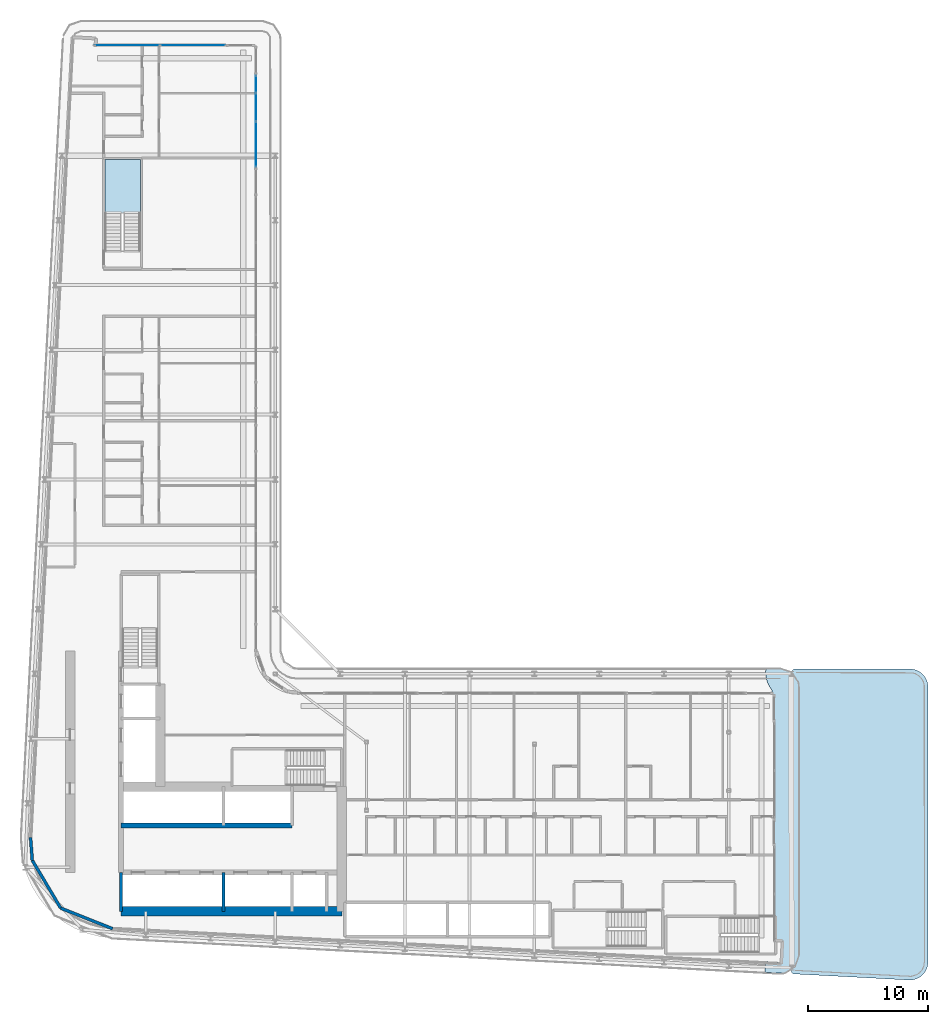
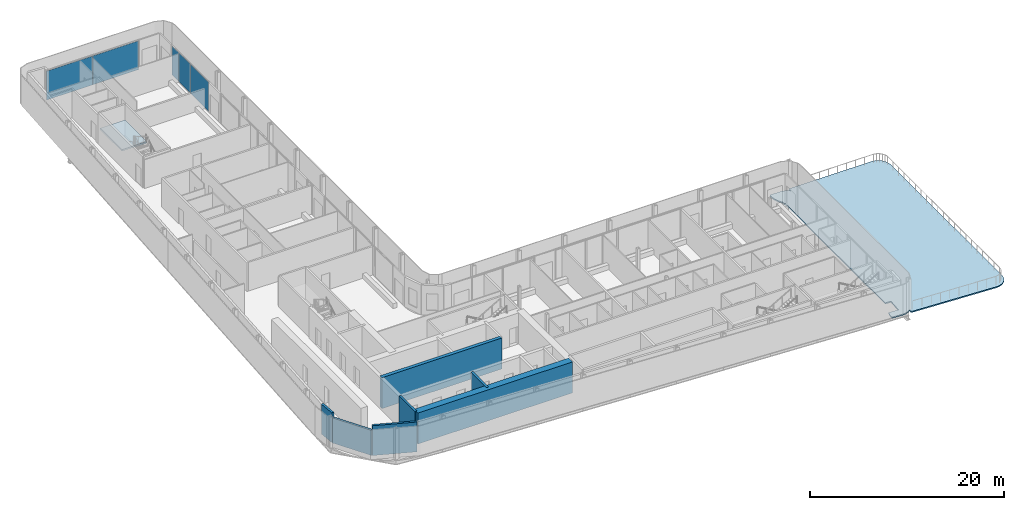
# One storey, part 12 of 27: 7 walls, 5 plates, 2 slabs, 3 elements without a shape of their own.
"""IFC4 building model written with IfcOpenShell, lengths in metres."""

from ifc_helpers import new_model, si_unit, direction, frame, frame_2d, origin, origin_2d, place, context, subcontext, project, spatial, polyline, rectangle, outline, extrude, material, layer, layer_set, type_object, element, aggregate, save


model = new_model("IFC4")

# Units and contexts
model_context = context("Model", 3, precision=1e-05, world=origin(), true_north=direction((0.0, 1.0)))
body_context = subcontext(model_context, "Body", "Model", "MODEL_VIEW")
ifc_project = project(units=[si_unit("LENGTHUNIT", "METRE"), si_unit("AREAUNIT", "SQUARE_METRE"), si_unit("VOLUMEUNIT", "CUBIC_METRE"), si_unit("PLANEANGLEUNIT", "RADIAN"), si_unit("MASSUNIT", "GRAM", prefix="KILO")], contexts=[model_context])

# Site, building, storey
site_placement = place(None, origin())
site = spatial("IfcSite", under=ifc_project, at=site_placement, CompositionType="ELEMENT")
building_placement = place(site_placement, origin())
building = spatial("IfcBuilding", under=site, at=building_placement, Name="Kheshtan School and Residences Tower", CompositionType="ELEMENT")
storey_placement = place(building_placement, frame((0.0, 0.0, 152.60009765625)))
storey = spatial("IfcBuildingStorey", under=building, at=storey_placement, Name="L35", CompositionType="ELEMENT", Elevation=152.60009765625)

# Curtain wall, plates
ifc_material_1 = material(Name="Clear low-e glass in thermally broken aluminium frame", Category="aluminium")
ifc_layer_1 = layer(ifc_material_1, 0.199951171875)
ifc_layer_set_1 = layer_set([ifc_layer_1], Name="Curtain wall CW-L")
curtain_wall_type = type_object("IfcCurtainWallType", Name="Curtain wall CW-L", PredefinedType="NOTDEFINED", material=ifc_layer_set_1)
curtain_wall_1_placement = place(storey_placement, origin())
curtain_wall_1 = element("IfcCurtainWall", 1, at=curtain_wall_1_placement, inside=storey, type_object=curtain_wall_type, Name="Curtain wall CWL7", PredefinedType="NOTDEFINED")
ifc_layer_2 = layer(ifc_material_1, 0.031982421875)
ifc_layer_set_2 = layer_set([ifc_layer_2], Name="CW-L glass panel")
plate_type = type_object("IfcPlateType", Name="CW-L glass panel", PredefinedType="CURTAIN_PANEL", material=ifc_layer_set_2)
plate_1_placement = place(storey_placement, frame((35.259033203125, 98.0, 0.0), z_axis=(0.0, 0.0, 1.0), x_axis=(1.0, 0.0, 0.0)))
plate_1 = element("IfcPlate", 2, at=plate_1_placement, type_object=plate_type, Name="CWL7 panel 1.1", PredefinedType="CURTAIN_PANEL", context=body_context, shape_type="SweptSolid", body=[
    extrude(rectangle(XDim=5.4140625, YDim=0.031982421875, at=origin_2d()), origin(), (0.0, 0.0, 1.0), 3.6298828125),
])
plate_2_placement = place(storey_placement, frame((40.73291015625, 98.0, 0.0), z_axis=(0.0, 0.0, 1.0), x_axis=(1.0, 0.0, 0.0)))
plate_2 = element("IfcPlate", 3, at=plate_2_placement, type_object=plate_type, Name="CWL7 panel 2.1", PredefinedType="CURTAIN_PANEL", context=body_context, shape_type="SweptSolid", body=[
    extrude(rectangle(XDim=5.4140625, YDim=0.031982421875, at=origin_2d()), origin(), (0.0, 0.0, 1.0), 3.6298828125),
])
aggregate(curtain_wall_1, [plate_1, plate_2])

curtain_wall_2_placement = place(storey_placement, origin())
curtain_wall_2 = element("IfcCurtainWall", 4, at=curtain_wall_2_placement, inside=storey, type_object=curtain_wall_type, Name="Curtain wall CWL8c", PredefinedType="NOTDEFINED")
plate_3_placement = place(storey_placement, frame((46.0, 94.735107421875, 0.0), z_axis=(0.0, 0.0, 1.0), x_axis=(0.0, -1.0, 0.0)))
plate_3 = element("IfcPlate", 5, at=plate_3_placement, type_object=plate_type, Name="CWL8c panel 1.1", PredefinedType="CURTAIN_PANEL", context=body_context, shape_type="SweptSolid", body=[
    extrude(rectangle(XDim=1.409912109375, YDim=0.031982421875, at=origin_2d()), origin(), (0.0, 0.0, 1.0), 3.6298828125),
])
plate_4_placement = place(storey_placement, frame((46.0, 92.826416015625, 0.0), z_axis=(0.0, 0.0, 1.0), x_axis=(0.0, -1.0, 0.0)))
plate_4 = element("IfcPlate", 6, at=plate_4_placement, type_object=plate_type, Name="CWL8c panel 2.1", PredefinedType="CURTAIN_PANEL", context=body_context, shape_type="SweptSolid", body=[
    extrude(rectangle(XDim=2.287109375, YDim=0.031982421875, at=origin_2d()), origin(), (0.0, 0.0, 1.0), 3.6298828125),
])
plate_5_placement = place(storey_placement, frame((46.0, 89.744384765625, 0.0), z_axis=(0.0, 0.0, 1.0), x_axis=(0.0, -1.0, 0.0)))
plate_5 = element("IfcPlate", 7, at=plate_5_placement, type_object=plate_type, Name="CWL8c panel 3.1", PredefinedType="CURTAIN_PANEL", context=body_context, shape_type="SweptSolid", body=[
    extrude(rectangle(XDim=3.757080078125, YDim=0.031982421875, at=origin_2d()), origin(), (0.0, 0.0, 1.0), 3.6298828125),
])
aggregate(curtain_wall_2, [plate_3, plate_4, plate_5])

# Stair, slab
ifc_material_2 = material(Name="Concrete C40/50", Category="concrete")
stair_type = type_object("IfcStairType", Name="Exit stair, half-turn", PredefinedType="HALF_TURN_STAIR", material=ifc_material_2)
stair_placement = place(storey_placement, origin())
stair = element("IfcStair", 8, at=stair_placement, inside=storey, type_object=stair_type, Name="L35 Protected Exit Stair ST3", PredefinedType="HALF_TURN_STAIR")
ifc_layer_3 = layer(ifc_material_2, 0.199951171875)
ifc_layer_set_3 = layer_set([ifc_layer_3], Name="Stair landing 200 Concrete C40/50")
slab_type_1 = type_object("IfcSlabType", Name="Stair landing 200 Concrete C40/50", PredefinedType="LANDING", material=ifc_layer_set_3)
slab_1_placement = place(storey_placement, frame((0.0, 0.0, 1.75)))
slab_1 = element("IfcSlab", 9, at=slab_1_placement, type_object=slab_type_1, Name="ST3 landing 1", PredefinedType="LANDING", context=body_context, shape_type="SweptSolid", body=[
    extrude(outline(polyline([(36.35009765625, 83.97998046875), (36.35009765625, 88.4599609375), (33.39990234375, 88.4599609375), (33.39990234375, 83.97998046875), (36.35009765625, 83.97998046875)])), origin(), (0.0, 0.0, 1.0), 0.199951171875),
])
aggregate(stair, [slab_1])

# Slab
ifc_layer_4 = layer(ifc_material_2, 0.14990234375)
ifc_layer_set_4 = layer_set([ifc_layer_4], Name="Terrace slab 150 Concrete C40/50")
slab_type_2 = type_object("IfcSlabType", Name="Terrace slab 150 Concrete C40/50", PredefinedType="FLOOR", material=ifc_layer_set_4)
slab_2_placement = place(storey_placement, frame((0.0, 0.0, -0.150146484375)))
element("IfcSlab", 10, at=slab_2_placement, inside=storey, type_object=slab_type_2, Name="Terrace slab L35", PredefinedType="FLOOR", context=body_context, shape_type="SweptSolid", body=[
    extrude(outline(polyline([(88.407958984375, 20.716064453125), (88.407958984375, 20.717041015625), (88.406982421875, 20.72802734375), (88.406005859375, 20.751953125), (88.412109375, 21.027099609375), (88.4140625, 21.051025390625), (88.43896484375, 21.2451171875), (88.443115234375, 21.26806640625), (88.47607421875, 21.425048828125), (88.48193359375, 21.448974609375), (88.48193359375, 21.450927734375), (88.534912109375, 21.60791015625), (88.534912109375, 21.60888671875), (88.534912109375, 21.610107421875), (89.637939453125, 21.552001953125), (89.6650390625, 21.552978515625), (89.666015625, 21.552978515625), (89.6669921875, 21.552978515625), (89.6669921875, 21.553955078125), (89.66796875, 21.553955078125), (89.66796875, 21.554931640625), (89.66796875, 21.555908203125), (89.758056640625, 23.24609375), (89.758056640625, 23.2470703125), (89.757080078125, 23.2470703125), (89.757080078125, 23.248046875), (89.756103515625, 23.248046875), (89.7548828125, 23.248046875), (89.10107421875, 23.282958984375), (89.10009765625, 23.282958984375), (89.10009765625, 23.283935546875), (89.10009765625, 43.89794921875), (89.10009765625, 43.89892578125), (89.09912109375, 43.89892578125), (89.09912109375, 43.89990234375), (89.097900390625, 43.89990234375), (89.0009765625, 43.89990234375), (89.0, 43.89990234375), (89.0, 43.90087890625), (89.0, 44.235107421875), (89.0, 44.236083984375), (88.970947265625, 44.27099609375), (88.9560546875, 44.291015625), (88.805908203125, 44.51904296875), (88.7939453125, 44.5400390625), (88.736083984375, 44.64794921875), (88.72509765625, 44.669921875), (88.614990234375, 44.930908203125), (88.60693359375, 44.9541015625), (88.551025390625, 45.14111328125), (88.551025390625, 45.14306640625), (88.544921875, 45.1669921875), (88.509033203125, 45.339111328125), (88.5048828125, 45.363037109375), (88.47705078125, 45.636962890625), (88.47607421875, 45.662109375), (88.47607421875, 45.837890625), (88.47705078125, 45.863037109375), (88.490966796875, 45.9990234375), (88.490966796875, 46.0), (88.491943359375, 46.0), (89.699951171875, 46.0), (89.89599609375, 45.987060546875), (90.087890625, 45.948974609375), (90.090087890625, 45.948974609375), (90.27392578125, 45.885986328125), (90.446044921875, 45.801025390625), (90.447021484375, 45.801025390625), (90.447998046875, 45.801025390625), (90.447998046875, 45.802001953125), (90.448974609375, 45.802001953125), (90.448974609375, 45.802978515625), (90.449951171875, 45.802978515625), (90.4541015625, 45.802978515625), (90.4541015625, 45.802001953125), (90.455078125, 45.802001953125), (90.455078125, 45.801025390625), (90.4560546875, 45.801025390625), (90.4560546875, 45.800048828125), (90.612060546875, 45.696044921875), (90.613037109375, 45.696044921875), (90.613037109375, 45.695068359375), (90.614013671875, 45.695068359375), (90.614013671875, 45.694091796875), (90.614013671875, 45.68994140625), (90.614013671875, 45.68896484375), (90.614990234375, 45.68896484375), (90.614990234375, 45.68798828125), (90.72412109375, 45.593017578125), (90.72509765625, 45.593017578125), (90.72607421875, 45.593017578125), (90.72607421875, 45.593994140625), (90.72705078125, 45.593994140625), (90.72705078125, 45.594970703125), (90.72705078125, 45.595947265625), (90.716064453125, 45.611083984375), (90.7041015625, 45.632080078125), (90.693115234375, 45.654052734375), (90.68505859375, 45.675048828125), (90.68505859375, 45.677001953125), (90.678955078125, 45.700927734375), (90.675048828125, 45.72509765625), (90.674072265625, 45.75), (90.675048828125, 45.77490234375), (90.678955078125, 45.799072265625), (90.68505859375, 45.822998046875), (90.68505859375, 45.824951171875), (90.693115234375, 45.845947265625), (90.7041015625, 45.867919921875), (90.716064453125, 45.888916015625), (90.72900390625, 45.906982421875), (90.72998046875, 45.906982421875), (90.72998046875, 45.907958984375), (90.73095703125, 45.907958984375), (90.73095703125, 45.908935546875), (90.7470703125, 45.927001953125), (90.764892578125, 45.943115234375), (90.76611328125, 45.943115234375), (90.76611328125, 45.944091796875), (90.76708984375, 45.944091796875), (90.76708984375, 45.945068359375), (90.784912109375, 45.9580078125), (90.805908203125, 45.969970703125), (90.827880859375, 45.98095703125), (90.84912109375, 45.989013671875), (90.85107421875, 45.989013671875), (90.875, 45.9951171875), (90.89892578125, 45.9990234375), (90.924072265625, 46.0), (100.491943359375, 46.0), (100.508056640625, 45.9990234375), (100.678955078125, 45.988037109375), (100.7119140625, 45.98388671875), (100.8720703125, 45.951904296875), (100.903076171875, 45.944091796875), (100.905029296875, 45.944091796875), (101.05810546875, 45.89208984375), (101.089111328125, 45.87890625), (101.236083984375, 45.805908203125), (101.263916015625, 45.7900390625), (101.39990234375, 45.698974609375), (101.425048828125, 45.679931640625), (101.5458984375, 45.574951171875), (101.5458984375, 45.573974609375), (101.547119140625, 45.573974609375), (101.547119140625, 45.572998046875), (101.548095703125, 45.572998046875), (101.572998046875, 45.548095703125), (101.572998046875, 45.547119140625), (101.573974609375, 45.547119140625), (101.573974609375, 45.5458984375), (101.574951171875, 45.5458984375), (101.679931640625, 45.425048828125), (101.698974609375, 45.39990234375), (101.7900390625, 45.263916015625), (101.805908203125, 45.236083984375), (101.87890625, 45.089111328125), (101.89208984375, 45.05810546875), (101.944091796875, 44.905029296875), (101.944091796875, 44.903076171875), (101.951904296875, 44.8720703125), (101.98388671875, 44.7119140625), (101.988037109375, 44.678955078125), (101.9990234375, 44.508056640625), (102.0, 44.491943359375), (102.0, 21.590087890625), (101.9990234375, 21.572998046875), (101.987060546875, 21.39599609375), (101.98291015625, 21.363037109375), (101.948974609375, 21.197021484375), (101.948974609375, 21.195068359375), (101.93994140625, 21.1640625), (101.884033203125, 21.00390625), (101.8701171875, 20.972900390625), (101.79296875, 20.822998046875), (101.77587890625, 20.7939453125), (101.679931640625, 20.656005859375), (101.659912109375, 20.631103515625), (101.658935546875, 20.631103515625), (101.658935546875, 20.6298828125), (101.657958984375, 20.6298828125), (101.657958984375, 20.62890625), (101.54296875, 20.5048828125), (101.51904296875, 20.48193359375), (101.51806640625, 20.48193359375), (101.51806640625, 20.48095703125), (101.51708984375, 20.48095703125), (101.51708984375, 20.47998046875), (101.387939453125, 20.3740234375), (101.362060546875, 20.35498046875), (101.218994140625, 20.264892578125), (101.18798828125, 20.2490234375), (101.034912109375, 20.180908203125), (101.001953125, 20.1689453125), (100.841064453125, 20.1220703125), (100.839111328125, 20.1220703125), (100.80810546875, 20.114990234375), (100.64111328125, 20.089111328125), (100.60693359375, 20.0859375), (100.429931640625, 20.0830078125), (100.4130859375, 20.0830078125), (90.841064453125, 20.587890625), (90.81689453125, 20.591064453125), (90.79296875, 20.594970703125), (90.791015625, 20.594970703125), (90.77001953125, 20.60205078125), (90.748046875, 20.612060546875), (90.72705078125, 20.623046875), (90.70703125, 20.635986328125), (90.68994140625, 20.64892578125), (90.68994140625, 20.64990234375), (90.68896484375, 20.64990234375), (90.68896484375, 20.65087890625), (90.68798828125, 20.65087890625), (90.6708984375, 20.66796875), (90.655029296875, 20.68603515625), (90.655029296875, 20.68701171875), (90.654052734375, 20.68701171875), (90.654052734375, 20.68798828125), (90.653076171875, 20.68798828125), (90.64208984375, 20.7060546875), (90.6298828125, 20.72705078125), (90.6201171875, 20.7490234375), (90.613037109375, 20.77001953125), (90.613037109375, 20.77197265625), (90.60791015625, 20.7958984375), (90.60498046875, 20.820068359375), (90.60400390625, 20.843994140625), (90.60595703125, 20.867919921875), (90.610107421875, 20.89111328125), (90.615966796875, 20.9150390625), (90.615966796875, 20.9169921875), (90.625, 20.93701171875), (90.635009765625, 20.958984375), (90.64794921875, 20.97900390625), (90.660888671875, 20.9970703125), (90.662109375, 20.9970703125), (90.662109375, 20.998046875), (90.6640625, 21.0), (90.6650390625, 21.0), (90.6650390625, 21.0009765625), (90.6650390625, 21.001953125), (90.6640625, 21.001953125), (90.6640625, 21.0029296875), (90.6630859375, 21.0029296875), (90.662109375, 21.0029296875), (90.659912109375, 21.001953125), (90.659912109375, 21.0009765625), (90.658935546875, 21.0009765625), (90.658935546875, 21.0), (90.657958984375, 21.0), (90.575927734375, 20.931884765625), (90.404052734375, 20.824951171875), (90.218994140625, 20.741943359375), (90.02587890625, 20.68505859375), (90.02392578125, 20.68505859375), (89.823974609375, 20.655029296875), (89.62109375, 20.652099609375), (88.408935546875, 20.716064453125), (88.407958984375, 20.716064453125)])), origin(), (0.0, 0.0, 1.0), 0.150146484375),
])

# Walls
ifc_material_3 = material(Name="Concrete C50/60", Category="concrete")
ifc_layer_5 = layer(ifc_material_3, 0.39990234375)
ifc_layer_set_5 = layer_set([ifc_layer_5], Name="Core wall 400 Concrete C50/60")
wall_type_1 = type_object("IfcWallType", Name="Core wall 400 Concrete C50/60", PredefinedType="SHEAR", material=ifc_layer_set_5)
wall_1_placement = place(storey_placement, frame((34.75, 32.949951171875, 0.0), z_axis=(0.0, 0.0, 1.0), x_axis=(1.0, 0.0, 0.0)))
element("IfcWall", 11, at=wall_1_placement, inside=storey, type_object=wall_type_1, Name="Core wall CW-HALL-S2", PredefinedType="SHEAR", context=body_context, shape_type="SweptSolid", body=[
    extrude(rectangle(XDim=14.25, YDim=0.39990234375, at=frame_2d((7.125, 0.0))), origin(), (0.0, 0.0, 1.0), 3.89990234375),
])
ifc_material_4 = material(Name="Concrete C70/85", Category="concrete")
ifc_layer_6 = layer(ifc_material_4, 0.800048828125)
ifc_layer_set_6 = layer_set([ifc_layer_6], Name="Core wall 800 Concrete C70/85")
wall_type_2 = type_object("IfcWallType", Name="Core wall 800 Concrete C70/85", PredefinedType="SHEAR", material=ifc_layer_set_6)
wall_2_placement = place(storey_placement, frame((34.75, 25.800048828125, 0.0), z_axis=(0.0, 0.0, 1.0), x_axis=(1.0, 0.0, 0.0)))
element("IfcWall", 12, at=wall_2_placement, inside=storey, type_object=wall_type_2, Name="Core wall CW-REAR-S", PredefinedType="SHEAR", context=body_context, shape_type="SweptSolid", body=[
    extrude(rectangle(XDim=18.39990234375, YDim=0.800048828125, at=frame_2d((9.199951171875, 0.0))), origin(), (0.0, 0.0, 1.0), 3.89990234375),
])
ifc_material_5 = material(Name="Concrete C40/50 with ceramic cladding and mineral wool insulation", Category="concrete")
ifc_layer_7 = layer(ifc_material_5, 0.25)
ifc_layer_set_7 = layer_set([ifc_layer_7], Name="External wall 250 ceramic clad")
wall_type_3 = type_object("IfcWallType", Name="External wall 250 ceramic clad", PredefinedType="SOLIDWALL", material=ifc_layer_set_7)
wall_3_placement = place(storey_placement, frame((34.0390625, 24.35302734375, 0.0), z_axis=(0.0, 0.0, 1.0), x_axis=(-0.929352825399, 0.369192803184, 0.0)))
element("IfcWall", 13, at=wall_3_placement, inside=storey, type_object=wall_type_3, Name="External wall L35 1", PredefinedType="SOLIDWALL", context=body_context, shape_type="SweptSolid", body=[
    extrude(rectangle(XDim=4.656005859375, YDim=0.25, at=frame_2d((2.328125, 0.0))), origin(), (0.0, 0.0, 1.0), 3.75),
])
wall_4_placement = place(storey_placement, frame((29.7119140625, 26.072021484375, 0.0), z_axis=(0.0, 0.0, 1.0), x_axis=(-0.511028049012, 0.859564036662, 0.0)))
element("IfcWall", 14, at=wall_4_placement, inside=storey, type_object=wall_type_3, Name="External wall L35 2", PredefinedType="SOLIDWALL", context=body_context, shape_type="SweptSolid", body=[
    extrude(rectangle(XDim=4.633544921875, YDim=0.25, at=frame_2d((2.31689453125, 0.0))), origin(), (0.0, 0.0, 1.0), 3.14697265625),
])
wall_5_placement = place(storey_placement, frame((27.343994140625, 30.054931640625, 0.0), z_axis=(0.0, 0.0, 1.0), x_axis=(-0.077571675317, 0.99698677784, 0.0)))
element("IfcWall", 15, at=wall_5_placement, inside=storey, type_object=wall_type_3, Name="External wall L35 3", PredefinedType="SOLIDWALL", context=body_context, shape_type="SweptSolid", body=[
    extrude(rectangle(XDim=1.919921875, YDim=0.25, at=frame_2d((0.9599609375, 0.0))), origin(), (0.0, 0.0, 1.0), 3.75),
])
ifc_material_6 = material(Name="Fire-board shaft wall system")
ifc_layer_8 = layer(ifc_material_6, 0.25)
ifc_layer_set_8 = layer_set([ifc_layer_8], Name="Shaft lining wall 250")
wall_type_4 = type_object("IfcWallType", Name="Shaft lining wall 250", PredefinedType="PARTITIONING", material=ifc_layer_set_8)
for number, where, z_axis, x_axis, name in (
    (16, (34.75, 25.800048828125, 0.0), (0.0, 0.0, 1.0), (0.0, 1.0, 0.0), "Shaft lining wall"),
    (17, (43.300048828125, 25.800048828125, 0.0), (0.0, 0.0, 1.0), (0.0, 1.0, 0.0), "Shaft lining wall"),
):
    element("IfcWall", number, at=place(storey_placement, frame(where, z_axis=z_axis, x_axis=x_axis)), inside=storey, type_object=wall_type_4, Name=name, PredefinedType="PARTITIONING", context=body_context, shape_type="SweptSolid", body=[
        extrude(rectangle(XDim=3.25, YDim=0.25, at=frame_2d((1.625, 0.0))), origin(), (0.0, 0.0, 1.0), 3.89990234375),
    ])

save(model, "model.ifc")
